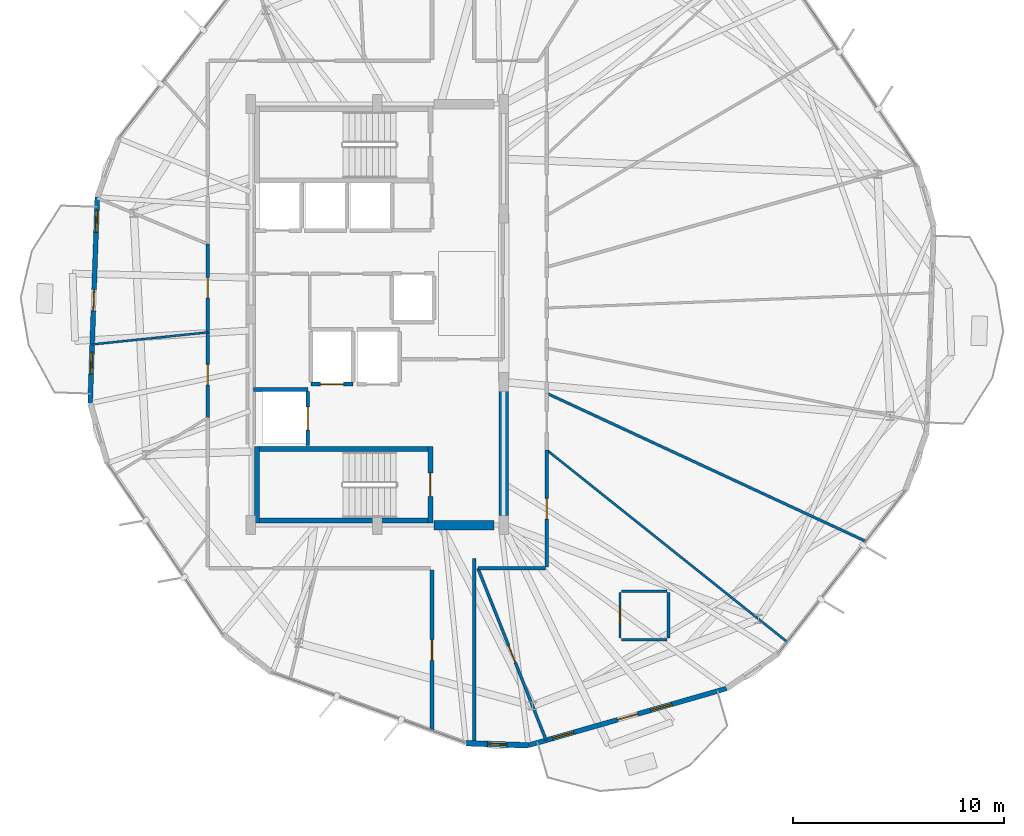
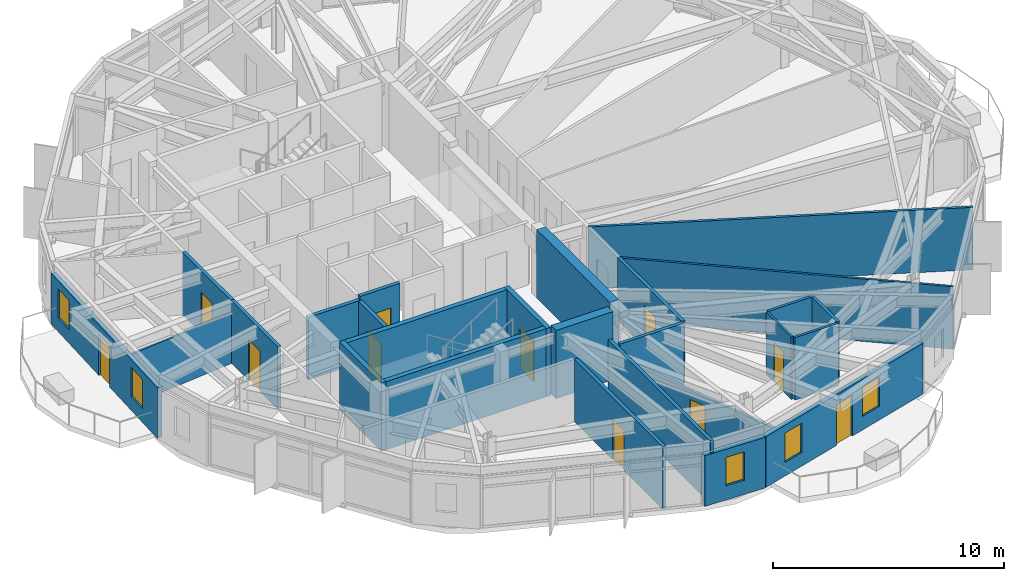
# One storey, part 24 of 30: 26 walls, 11 doors, 5 windows, 16 openings.
"""IFC4 building model written with IfcOpenShell, lengths in metres."""

from ifc_helpers import new_model, si_unit, direction, frame, frame_2d, origin, place, context, subcontext, project, spatial, rectangle, extrude, material, layer, layer_set, type_object, element, fill, save


model = new_model("IFC4")

# Units and contexts
model_context = context("Model", 3, precision=1e-05, world=origin(), true_north=direction((0.0, 1.0)))
body_context = subcontext(model_context, "Body", "Model", "MODEL_VIEW")
ifc_project = project(units=[si_unit("LENGTHUNIT", "METRE"), si_unit("AREAUNIT", "SQUARE_METRE"), si_unit("VOLUMEUNIT", "CUBIC_METRE"), si_unit("PLANEANGLEUNIT", "RADIAN"), si_unit("MASSUNIT", "GRAM", prefix="KILO")], contexts=[model_context])

# Site, building, storey
site_placement = place(None, origin())
site = spatial("IfcSite", under=ifc_project, at=site_placement, CompositionType="ELEMENT")
building_placement = place(site_placement, origin())
building = spatial("IfcBuilding", under=site, at=building_placement, Name="Soratama Intermodal Tower", CompositionType="ELEMENT")
storey_placement = place(building_placement, frame((0.0, 0.0, 223.0)))
storey = spatial("IfcBuildingStorey", under=building, at=storey_placement, Name="L56", CompositionType="ELEMENT", Elevation=223.0)

# Wall, openings, door, windows
ifc_material_1 = material(Name="Concrete f'c 42 MPa", Category="concrete")
ifc_layer_1 = layer(ifc_material_1, 0.22998046875)
ifc_layer_set_1 = layer_set([ifc_layer_1], Name="Concrete f'c 42 MPa")
wall_type_1 = type_object("IfcWallType", Name="EW-BAL-230", PredefinedType="SOLIDWALL", material=ifc_layer_set_1)
wall_1_placement = place(storey_placement, frame((25.303955078125, 30.582763671875, 0.0), z_axis=(0.0, 0.0, 1.0), x_axis=(-0.034536942247, -0.999403421857, 0.0)))
wall_1 = element("IfcWall", 1, at=wall_1_placement, inside=storey, type_object=wall_type_1, Name="L56 Terrace Wall F04", PredefinedType="SOLIDWALL", context=body_context, shape_type="SweptSolid", body=[
    extrude(rectangle(XDim=9.797607421875, YDim=0.22998046875, at=frame_2d((4.89892578125, 0.0))), origin(), (0.0, 0.0, 1.0), 2.678955078125),
])
opening_1_placement = place(wall_1_placement, frame((4.398681640625, 0.0, 0.0)))
opening_1 = element("IfcOpeningElement", 2, at=opening_1_placement, cuts=wall_1, Name="Opening ED-2", PredefinedType="OPENING", context=body_context, shape_type="SweptSolid", body=[
    extrude(rectangle(XDim=1.0, YDim=2.14990234375, at=frame_2d((0.5, 1.074951171875))), frame((0.0, 0.125, 0.0), z_axis=(0.0, -1.0, 0.0), x_axis=(1.0, 0.0, 0.0)), (0.0, 0.0, 1.0), 0.25),
])
opening_2_placement = place(wall_1_placement, frame((0.629150390625, 0.0, 0.719970703125)))
opening_2 = element("IfcOpeningElement", 3, at=opening_2_placement, cuts=wall_1, Name="Opening WN-5", PredefinedType="OPENING", context=body_context, shape_type="SweptSolid", body=[
    extrude(rectangle(XDim=1.050048828125, YDim=1.550048828125, at=frame_2d((0.52490234375, 0.77490234375))), frame((0.0, 0.125, 0.0), z_axis=(0.0, -1.0, 0.0), x_axis=(1.0, 0.0, 0.0)), (0.0, 0.0, 1.0), 0.25),
])
opening_3_placement = place(wall_1_placement, frame((7.3623046875, 0.0, 0.719970703125)))
opening_3 = element("IfcOpeningElement", 4, at=opening_3_placement, cuts=wall_1, Name="Opening WN-5", PredefinedType="OPENING", context=body_context, shape_type="SweptSolid", body=[
    extrude(rectangle(XDim=1.050048828125, YDim=1.550048828125, at=frame_2d((0.52490234375, 0.77490234375))), frame((0.0, 0.125, 0.0), z_axis=(0.0, -1.0, 0.0), x_axis=(1.0, 0.0, 0.0)), (0.0, 0.0, 1.0), 0.25),
])
ifc_material_2 = material(Name="Double-glazed aluminium door", Category="aluminium")
door_type_1 = type_object("IfcDoorType", Name="DR-BAL-1000", OperationType="NOTDEFINED", PredefinedType="DOOR", material=ifc_material_2)
door_1_placement = place(opening_1_placement, origin())
door_1 = element("IfcDoor", 5, at=door_1_placement, inside=storey, type_object=door_type_1, Name="L56 Balcony Door F04", OperationType="SINGLE_SWING_RIGHT", OverallHeight=2.14990234375, OverallWidth=1.0, PredefinedType="DOOR", context=body_context, shape_type="SweptSolid", body=[
    extrude(rectangle(XDim=1.0, YDim=2.14990234375, at=frame_2d((0.5, 1.074951171875))), frame((0.0, 0.02490234375, 0.0), z_axis=(0.0, -1.0, 0.0), x_axis=(1.0, 0.0, 0.0)), (0.0, 0.0, 1.0), 0.050048828125),
])
fill(opening_1, door_1)
ifc_material_3 = material(Name="Double-glazed aluminium window", Category="aluminium")
window_type_1 = type_object("IfcWindowType", Name="WN-FAC-1050", PartitioningType="SINGLE_PANEL", PredefinedType="WINDOW", material=ifc_material_3)
window_1_placement = place(opening_2_placement, origin())
window_1 = element("IfcWindow", 6, at=window_1_placement, inside=storey, type_object=window_type_1, Name="L56 Window A F04", OverallHeight=1.550048828125, OverallWidth=1.050048828125, PartitioningType="SINGLE_PANEL", PredefinedType="WINDOW", context=body_context, shape_type="SweptSolid", body=[
    extrude(rectangle(XDim=1.050048828125, YDim=1.550048828125, at=frame_2d((0.52490234375, 0.77490234375))), frame((0.0, 0.030029296875, 0.0), z_axis=(0.0, -1.0, 0.0), x_axis=(1.0, 0.0, 0.0)), (0.0, 0.0, 1.0), 0.06005859375),
])
fill(opening_2, window_1)
window_2_placement = place(opening_3_placement, origin())
window_2 = element("IfcWindow", 7, at=window_2_placement, inside=storey, type_object=window_type_1, Name="L56 Window B F04", OverallHeight=1.550048828125, OverallWidth=1.050048828125, PartitioningType="SINGLE_PANEL", PredefinedType="WINDOW", context=body_context, shape_type="SweptSolid", body=[
    extrude(rectangle(XDim=1.050048828125, YDim=1.550048828125, at=frame_2d((0.52490234375, 0.77490234375))), frame((0.0, 0.030029296875, 0.0), z_axis=(0.0, -1.0, 0.0), x_axis=(1.0, 0.0, 0.0)), (0.0, 0.0, 1.0), 0.06005859375),
])
fill(opening_3, window_2)

wall_2_placement = place(storey_placement, frame((45.77685546875, 4.54296875, 0.0), z_axis=(0.0, 0.0, 1.0), x_axis=(0.961166762437, 0.275968213361, 0.0)))
wall_2 = element("IfcWall", 8, at=wall_2_placement, inside=storey, type_object=wall_type_1, Name="L56 Terrace Wall F07", PredefinedType="SOLIDWALL", context=body_context, shape_type="SweptSolid", body=[
    extrude(rectangle(XDim=9.797607421875, YDim=0.22998046875, at=frame_2d((4.89892578125, 0.0))), origin(), (0.0, 0.0, 1.0), 2.678955078125),
])
opening_4_placement = place(wall_2_placement, frame((4.398681640625, 0.0, 0.0)))
opening_4 = element("IfcOpeningElement", 9, at=opening_4_placement, cuts=wall_2, Name="Opening ED-2", PredefinedType="OPENING", context=body_context, shape_type="SweptSolid", body=[
    extrude(rectangle(XDim=1.0, YDim=2.14990234375, at=frame_2d((0.5, 1.074951171875))), frame((0.0, 0.125, 0.0), z_axis=(0.0, -1.0, 0.0), x_axis=(1.0, 0.0, 0.0)), (0.0, 0.0, 1.0), 0.25),
])
opening_5_placement = place(wall_2_placement, frame((1.1962890625, 0.0, 0.719970703125)))
opening_5 = element("IfcOpeningElement", 10, at=opening_5_placement, cuts=wall_2, Name="Opening WN-5", PredefinedType="OPENING", context=body_context, shape_type="SweptSolid", body=[
    extrude(rectangle(XDim=1.050048828125, YDim=1.550048828125, at=frame_2d((0.52490234375, 0.77490234375))), frame((0.0, 0.125, 0.0), z_axis=(0.0, -1.0, 0.0), x_axis=(1.0, 0.0, 0.0)), (0.0, 0.0, 1.0), 0.25),
])
opening_6_placement = place(wall_2_placement, frame((6.038818359375, 0.0, 0.719970703125)))
opening_6 = element("IfcOpeningElement", 11, at=opening_6_placement, cuts=wall_2, Name="Opening WN-5", PredefinedType="OPENING", context=body_context, shape_type="SweptSolid", body=[
    extrude(rectangle(XDim=1.050048828125, YDim=1.550048828125, at=frame_2d((0.52490234375, 0.77490234375))), frame((0.0, 0.125, 0.0), z_axis=(0.0, -1.0, 0.0), x_axis=(1.0, 0.0, 0.0)), (0.0, 0.0, 1.0), 0.25),
])
door_2_placement = place(opening_4_placement, origin())
door_2 = element("IfcDoor", 12, at=door_2_placement, inside=storey, type_object=door_type_1, Name="L56 Balcony Door F07", OperationType="SINGLE_SWING_LEFT", OverallHeight=2.14990234375, OverallWidth=1.0, PredefinedType="DOOR", context=body_context, shape_type="SweptSolid", body=[
    extrude(rectangle(XDim=1.0, YDim=2.14990234375, at=frame_2d((0.5, 1.074951171875))), frame((0.0, 0.02490234375, 0.0), z_axis=(0.0, -1.0, 0.0), x_axis=(1.0, 0.0, 0.0)), (0.0, 0.0, 1.0), 0.050048828125),
])
fill(opening_4, door_2)
window_3_placement = place(opening_5_placement, origin())
window_3 = element("IfcWindow", 13, at=window_3_placement, inside=storey, type_object=window_type_1, Name="L56 Window A F07", OverallHeight=1.550048828125, OverallWidth=1.050048828125, PartitioningType="SINGLE_PANEL", PredefinedType="WINDOW", context=body_context, shape_type="SweptSolid", body=[
    extrude(rectangle(XDim=1.050048828125, YDim=1.550048828125, at=frame_2d((0.52490234375, 0.77490234375))), frame((0.0, 0.030029296875, 0.0), z_axis=(0.0, -1.0, 0.0), x_axis=(1.0, 0.0, 0.0)), (0.0, 0.0, 1.0), 0.06005859375),
])
fill(opening_5, window_3)
window_4_placement = place(opening_6_placement, origin())
window_4 = element("IfcWindow", 14, at=window_4_placement, inside=storey, type_object=window_type_1, Name="L56 Window B F07", OverallHeight=1.550048828125, OverallWidth=1.050048828125, PartitioningType="SINGLE_PANEL", PredefinedType="WINDOW", context=body_context, shape_type="SweptSolid", body=[
    extrude(rectangle(XDim=1.050048828125, YDim=1.550048828125, at=frame_2d((0.52490234375, 0.77490234375))), frame((0.0, 0.030029296875, 0.0), z_axis=(0.0, -1.0, 0.0), x_axis=(1.0, 0.0, 0.0)), (0.0, 0.0, 1.0), 0.06005859375),
])
fill(opening_6, window_4)

# Wall, opening, window
ifc_material_4 = material(Name="Concrete f'c 42 MPa", Category="concrete")
ifc_layer_2 = layer(ifc_material_4, 0.27001953125)
ifc_layer_set_2 = layer_set([ifc_layer_2], Name="Concrete f'c 42 MPa")
wall_type_2 = type_object("IfcWallType", Name="EW-CRN-270", PredefinedType="SOLIDWALL", material=ifc_layer_set_2)
wall_3_placement = place(storey_placement, frame((42.81201171875, 4.6455078125, 0.0), z_axis=(0.0, 0.0, 1.0), x_axis=(0.999402475551, -0.034564314866, 0.0)))
wall_3 = element("IfcWall", 15, at=wall_3_placement, inside=storey, type_object=wall_type_2, Name="L56 Corner Closure Wall 06", PredefinedType="SOLIDWALL", context=body_context, shape_type="SweptSolid", body=[
    extrude(rectangle(XDim=2.966552734375, YDim=0.27001953125, at=frame_2d((1.4833984375, 0.0))), origin(), (0.0, 0.0, 1.0), 2.678955078125),
])
opening_7_placement = place(wall_3_placement, frame((1.033203125, 0.0, 0.75)))
opening_7 = element("IfcOpeningElement", 16, at=opening_7_placement, cuts=wall_3, Name="Opening WN-6", PredefinedType="OPENING", context=body_context, shape_type="SweptSolid", body=[
    extrude(rectangle(XDim=0.89990234375, YDim=1.5, at=frame_2d((0.449951171875, 0.75))), frame((0.0, 0.14501953125, 0.0), z_axis=(0.0, -1.0, 0.0), x_axis=(1.0, 0.0, 0.0)), (0.0, 0.0, 1.0), 0.2900390625),
])
ifc_material_5 = material(Name="Double-glazed aluminium window", Category="aluminium")
window_type_2 = type_object("IfcWindowType", Name="WN-FAC-900", PartitioningType="SINGLE_PANEL", PredefinedType="WINDOW", material=ifc_material_5)
window_5_placement = place(opening_7_placement, origin())
window_5 = element("IfcWindow", 17, at=window_5_placement, inside=storey, type_object=window_type_2, Name="L56 Corner Window 06", OverallHeight=1.5, OverallWidth=0.89990234375, PartitioningType="SINGLE_PANEL", PredefinedType="WINDOW", context=body_context, shape_type="SweptSolid", body=[
    extrude(rectangle(XDim=0.89990234375, YDim=1.5, at=frame_2d((0.449951171875, 0.75))), frame((0.0, 0.030029296875, 0.0), z_axis=(0.0, -1.0, 0.0), x_axis=(1.0, 0.0, 0.0)), (0.0, 0.0, 1.0), 0.06005859375),
])
fill(opening_7, window_5)

# Wall, opening, door
ifc_material_6 = material(Name="Fire-rated gypsum stud partition", Category="concrete")
ifc_layer_3 = layer(ifc_material_6, 0.169921875)
ifc_layer_set_3 = layer_set([ifc_layer_3], Name="Fire-rated gypsum stud partition")
wall_type_3 = type_object("IfcWallType", Name="IW-PART-R170", PredefinedType="PARTITIONING", material=ifc_layer_set_3)
wall_4_placement = place(storey_placement, frame((41.199951171875, 5.23193359375, 0.0), z_axis=(0.0, 0.0, 1.0), x_axis=(0.0, 1.0, 0.0)))
wall_4 = element("IfcWall", 18, at=wall_4_placement, inside=storey, type_object=wall_type_3, Name="L56 Partition W-L56-TP010", PredefinedType="PARTITIONING", context=body_context, shape_type="SweptSolid", body=[
    extrude(rectangle(XDim=7.64794921875, YDim=0.169921875, at=frame_2d((3.823974609375, 0.0))), origin(), (0.0, 0.0, 1.0), 3.300048828125),
])
opening_8_placement = place(wall_4_placement, frame((3.34912109375, 0.0, 0.0)))
opening_8 = element("IfcOpeningElement", 19, at=opening_8_placement, cuts=wall_4, Name="Opening ID-5", PredefinedType="OPENING", context=body_context, shape_type="SweptSolid", body=[
    extrude(rectangle(XDim=0.97998046875, YDim=2.14990234375, at=frame_2d((0.489990234375, 1.074951171875))), frame((0.0, 0.094970703125, 0.0), z_axis=(0.0, -1.0, 0.0), x_axis=(1.0, 0.0, 0.0)), (0.0, 0.0, 1.0), 0.18994140625),
])
ifc_material_7 = material(Name="Solid hardwood acoustic door", Category="wood")
door_type_2 = type_object("IfcDoorType", Name="DR-OFF-980", OperationType="NOTDEFINED", PredefinedType="DOOR", material=ifc_material_7)
door_3_placement = place(opening_8_placement, origin())
door_3 = element("IfcDoor", 20, at=door_3_placement, inside=storey, type_object=door_type_2, Name="L56 Door D-L56-TP001", OperationType="SINGLE_SWING_RIGHT", OverallHeight=2.14990234375, OverallWidth=0.97998046875, PredefinedType="DOOR", context=body_context, shape_type="SweptSolid", body=[
    extrude(rectangle(XDim=0.97998046875, YDim=2.14990234375, at=frame_2d((0.489990234375, 1.074951171875))), frame((0.0, 0.02490234375, 0.0), z_axis=(0.0, -1.0, 0.0), x_axis=(1.0, 0.0, 0.0)), (0.0, 0.0, 1.0), 0.050048828125),
])
fill(opening_8, door_3)

wall_5_placement = place(storey_placement, frame((46.64990234375, 18.572998046875, 0.0), z_axis=(0.0, 0.0, 1.0), x_axis=(0.0, -1.0, 0.0)))
wall_5 = element("IfcWall", 21, at=wall_5_placement, inside=storey, type_object=wall_type_3, Name="L56 Partition W-L56-TP016", PredefinedType="PARTITIONING", context=body_context, shape_type="SweptSolid", body=[
    extrude(rectangle(XDim=5.552978515625, YDim=0.169921875, at=frame_2d((2.7763671875, 0.0))), origin(), (0.0, 0.0, 1.0), 3.300048828125),
])
opening_9_placement = place(wall_5_placement, frame((2.302001953125, 0.0, 0.0)))
opening_9 = element("IfcOpeningElement", 22, at=opening_9_placement, cuts=wall_5, Name="Opening ID-5", PredefinedType="OPENING", context=body_context, shape_type="SweptSolid", body=[
    extrude(rectangle(XDim=0.97998046875, YDim=2.14990234375, at=frame_2d((0.489990234375, 1.074951171875))), frame((0.0, 0.094970703125, 0.0), z_axis=(0.0, -1.0, 0.0), x_axis=(1.0, 0.0, 0.0)), (0.0, 0.0, 1.0), 0.18994140625),
])
door_4_placement = place(opening_9_placement, origin())
door_4 = element("IfcDoor", 23, at=door_4_placement, inside=storey, type_object=door_type_2, Name="L56 Door D-L56-TP005", OperationType="SINGLE_SWING_RIGHT", OverallHeight=2.14990234375, OverallWidth=0.97998046875, PredefinedType="DOOR", context=body_context, shape_type="SweptSolid", body=[
    extrude(rectangle(XDim=0.97998046875, YDim=2.14990234375, at=frame_2d((0.489990234375, 1.074951171875))), frame((0.0, 0.02490234375, 0.0), z_axis=(0.0, -1.0, 0.0), x_axis=(1.0, 0.0, 0.0)), (0.0, 0.0, 1.0), 0.050048828125),
])
fill(opening_9, door_4)

wall_6_placement = place(storey_placement, frame((30.550048828125, 24.158935546875, 0.0), z_axis=(0.0, 0.0, 1.0), x_axis=(0.0, 1.0, 0.0)))
wall_6 = element("IfcWall", 24, at=wall_6_placement, inside=storey, type_object=wall_type_3, Name="L56 Partition W-L56-TP025", PredefinedType="PARTITIONING", context=body_context, shape_type="SweptSolid", body=[
    extrude(rectangle(XDim=4.192138671875, YDim=0.169921875, at=frame_2d((2.09619140625, 0.0))), origin(), (0.0, 0.0, 1.0), 3.300048828125),
])
opening_10_placement = place(wall_6_placement, frame((1.62109375, 0.0, 0.0)))
opening_10 = element("IfcOpeningElement", 25, at=opening_10_placement, cuts=wall_6, Name="Opening ID-5", PredefinedType="OPENING", context=body_context, shape_type="SweptSolid", body=[
    extrude(rectangle(XDim=0.97998046875, YDim=2.14990234375, at=frame_2d((0.489990234375, 1.074951171875))), frame((0.0, 0.094970703125, 0.0), z_axis=(0.0, -1.0, 0.0), x_axis=(1.0, 0.0, 0.0)), (0.0, 0.0, 1.0), 0.18994140625),
])
door_5_placement = place(opening_10_placement, origin())
door_5 = element("IfcDoor", 26, at=door_5_placement, inside=storey, type_object=door_type_2, Name="L56 Door D-L56-TP009", OperationType="SINGLE_SWING_RIGHT", OverallHeight=2.14990234375, OverallWidth=0.97998046875, PredefinedType="DOOR", context=body_context, shape_type="SweptSolid", body=[
    extrude(rectangle(XDim=0.97998046875, YDim=2.14990234375, at=frame_2d((0.489990234375, 1.074951171875))), frame((0.0, 0.02490234375, 0.0), z_axis=(0.0, -1.0, 0.0), x_axis=(1.0, 0.0, 0.0)), (0.0, 0.0, 1.0), 0.050048828125),
])
fill(opening_10, door_5)

wall_7_placement = place(storey_placement, frame((30.550048828125, 20.10595703125, 0.0), z_axis=(0.0, 0.0, 1.0), x_axis=(0.0, 1.0, 0.0)))
wall_7 = element("IfcWall", 27, at=wall_7_placement, inside=storey, type_object=wall_type_3, Name="L56 Partition W-L56-TP026", PredefinedType="PARTITIONING", context=body_context, shape_type="SweptSolid", body=[
    extrude(rectangle(XDim=4.052978515625, YDim=0.169921875, at=frame_2d((2.0263671875, 0.0))), origin(), (0.0, 0.0, 1.0), 3.300048828125),
])
opening_11_placement = place(wall_7_placement, frame((1.551025390625, 0.0, 0.0)))
opening_11 = element("IfcOpeningElement", 28, at=opening_11_placement, cuts=wall_7, Name="Opening ID-5", PredefinedType="OPENING", context=body_context, shape_type="SweptSolid", body=[
    extrude(rectangle(XDim=0.97998046875, YDim=2.14990234375, at=frame_2d((0.489990234375, 1.074951171875))), frame((0.0, 0.094970703125, 0.0), z_axis=(0.0, -1.0, 0.0), x_axis=(1.0, 0.0, 0.0)), (0.0, 0.0, 1.0), 0.18994140625),
])
door_6_placement = place(opening_11_placement, origin())
door_6 = element("IfcDoor", 29, at=door_6_placement, inside=storey, type_object=door_type_2, Name="L56 Door D-L56-TP010", OperationType="SINGLE_SWING_LEFT", OverallHeight=2.14990234375, OverallWidth=0.97998046875, PredefinedType="DOOR", context=body_context, shape_type="SweptSolid", body=[
    extrude(rectangle(XDim=0.97998046875, YDim=2.14990234375, at=frame_2d((0.489990234375, 1.074951171875))), frame((0.0, 0.02490234375, 0.0), z_axis=(0.0, -1.0, 0.0), x_axis=(1.0, 0.0, 0.0)), (0.0, 0.0, 1.0), 0.050048828125),
])
fill(opening_11, door_6)

# Walls
wall_8_placement = place(storey_placement, frame((46.580078125, 12.949951171875, 0.0), z_axis=(0.0, 0.0, 1.0), x_axis=(-1.0, 0.0, 0.0)))
element("IfcWall", 30, at=wall_8_placement, inside=storey, type_object=wall_type_3, Name="L56 Partition W-L56-TP031", PredefinedType="PARTITIONING", context=body_context, shape_type="SweptSolid", body=[
    extrude(rectangle(XDim=3.197021484375, YDim=0.169921875, at=frame_2d((1.5986328125, 0.0))), origin(), (0.0, 0.0, 1.0), 3.300048828125),
])
wall_9_placement = place(storey_placement, frame((43.199951171875, 13.410888671875, 0.0), z_axis=(0.0, 0.0, 1.0), x_axis=(0.0, -1.0, 0.0)))
element("IfcWall", 31, at=wall_9_placement, inside=storey, type_object=wall_type_3, Name="L56 Partition W-L56-TP053", PredefinedType="PARTITIONING", context=body_context, shape_type="SweptSolid", body=[
    extrude(rectangle(XDim=8.8408203125, YDim=0.169921875, at=frame_2d((4.42041015625, 0.0))), origin(), (0.0, 0.0, 1.0), 3.300048828125),
])
ifc_material_8 = material(Name="Fire-rated gypsum stud partition", Category="concrete")
ifc_layer_4 = layer(ifc_material_8, 0.10009765625)
ifc_layer_set_4 = layer_set([ifc_layer_4], Name="Fire-rated gypsum stud partition")
wall_type_4 = type_object("IfcWallType", Name="IW-PART-S100", PredefinedType="PARTITIONING", material=ifc_layer_set_4)
wall_10_placement = place(storey_placement, frame((30.550048828125, 24.158935546875, 0.0), z_axis=(0.0, 0.0, 1.0), x_axis=(-0.994593588522, -0.103844083467, 0.0)))
element("IfcWall", 32, at=wall_10_placement, inside=storey, type_object=wall_type_4, Name="L56 Partition W-L56-TP017", PredefinedType="PARTITIONING", context=body_context, shape_type="SweptSolid", body=[
    extrude(rectangle(XDim=5.517822265625, YDim=0.10009765625, at=frame_2d((2.7587890625, 0.0))), origin(), (0.0, 0.0, 1.0), 2.674072265625),
])

# Wall, opening, door
wall_11_placement = place(storey_placement, frame((50.1298828125, 11.7939453125, 0.0), z_axis=(0.0, 0.0, 1.0), x_axis=(0.0, -1.0, 0.0)))
wall_11 = element("IfcWall", 33, at=wall_11_placement, inside=storey, type_object=wall_type_4, Name="L56 Partition W-L56-TP042", PredefinedType="PARTITIONING", context=body_context, shape_type="SweptSolid", body=[
    extrude(rectangle(XDim=2.159912109375, YDim=0.10009765625, at=frame_2d((1.080078125, 0.0))), origin(), (0.0, 0.0, 1.0), 3.300048828125),
])
opening_12_placement = place(wall_11_placement, frame((0.655029296875, 0.0, 0.0)))
opening_12 = element("IfcOpeningElement", 34, at=opening_12_placement, cuts=wall_11, Name="Opening ID-4", PredefinedType="OPENING", context=body_context, shape_type="SweptSolid", body=[
    extrude(rectangle(XDim=0.85009765625, YDim=2.10009765625, at=frame_2d((0.425048828125, 1.050048828125))), frame((0.0, 0.06005859375, 0.0), z_axis=(0.0, -1.0, 0.0), x_axis=(1.0, 0.0, 0.0)), (0.0, 0.0, 1.0), 0.1201171875),
])
ifc_material_9 = material(Name="Solid hardwood acoustic door", Category="wood")
door_type_3 = type_object("IfcDoorType", Name="DR-BATH-850", OperationType="NOTDEFINED", PredefinedType="DOOR", material=ifc_material_9)
door_7_placement = place(opening_12_placement, origin())
door_7 = element("IfcDoor", 35, at=door_7_placement, inside=storey, type_object=door_type_3, Name="L56 Door D-L56-TP021", OperationType="SINGLE_SWING_RIGHT", OverallHeight=2.10009765625, OverallWidth=0.85009765625, PredefinedType="DOOR", context=body_context, shape_type="SweptSolid", body=[
    extrude(rectangle(XDim=0.85009765625, YDim=2.10009765625, at=frame_2d((0.425048828125, 1.050048828125))), frame((0.0, 0.02490234375, 0.0), z_axis=(0.0, -1.0, 0.0), x_axis=(1.0, 0.0, 0.0)), (0.0, 0.0, 1.0), 0.050048828125),
])
fill(opening_12, door_7)

# Walls
ifc_material_10 = material(Name="Fire-rated gypsum stud partition", Category="concrete")
ifc_layer_5 = layer(ifc_material_10, 0.110107421875)
ifc_layer_set_5 = layer_set([ifc_layer_5], Name="Fire-rated gypsum stud partition")
wall_type_5 = type_object("IfcWallType", Name="IW-PART-S110", PredefinedType="PARTITIONING", material=ifc_layer_set_5)
wall_12_placement = place(storey_placement, frame((46.64990234375, 18.572998046875, 0.0), z_axis=(0.0, 0.0, 1.0), x_axis=(0.781487424424, -0.623920992968, 0.0)))
element("IfcWall", 36, at=wall_12_placement, inside=storey, type_object=wall_type_5, Name="L56 Partition W-L56-TP006", PredefinedType="PARTITIONING", context=body_context, shape_type="SweptSolid", body=[
    extrude(rectangle(XDim=14.6220703125, YDim=0.110107421875, at=frame_2d((7.31103515625, 0.0))), origin(), (0.0, 0.0, 1.0), 3.300048828125),
])
ifc_material_11 = material(Name="Fire-rated gypsum stud partition", Category="concrete")
ifc_layer_6 = layer(ifc_material_11, 0.1201171875)
ifc_layer_set_6 = layer_set([ifc_layer_6], Name="Fire-rated gypsum stud partition")
wall_type_6 = type_object("IfcWallType", Name="IW-PART-S120", PredefinedType="PARTITIONING", material=ifc_layer_set_6)
wall_13_placement = place(storey_placement, frame((50.199951171875, 9.56396484375, 0.0), z_axis=(0.0, 0.0, 1.0), x_axis=(1.0, 0.0, 0.0)))
element("IfcWall", 37, at=wall_13_placement, inside=storey, type_object=wall_type_6, Name="L56 Partition W-L56-TP045", PredefinedType="PARTITIONING", context=body_context, shape_type="SweptSolid", body=[
    extrude(rectangle(XDim=2.16015625, YDim=0.1201171875, at=frame_2d((1.080078125, 0.0))), origin(), (0.0, 0.0, 1.0), 3.300048828125),
])
ifc_material_12 = material(Name="Fire-rated gypsum stud partition", Category="concrete")
ifc_layer_7 = layer(ifc_material_12, 0.1298828125)
ifc_layer_set_7 = layer_set([ifc_layer_7], Name="Fire-rated gypsum stud partition")
wall_type_7 = type_object("IfcWallType", Name="IW-PART-S130", PredefinedType="PARTITIONING", material=ifc_layer_set_7)
wall_14_placement = place(storey_placement, frame((46.64990234375, 21.264892578125, 0.0), z_axis=(0.0, 0.0, 1.0), x_axis=(0.907138854203, -0.420831437984, 0.0)))
element("IfcWall", 38, at=wall_14_placement, inside=storey, type_object=wall_type_7, Name="L56 Partition W-L56-TP004", PredefinedType="PARTITIONING", context=body_context, shape_type="SweptSolid", body=[
    extrude(rectangle(XDim=16.712158203125, YDim=0.1298828125, at=frame_2d((8.35595703125, 0.0))), origin(), (0.0, 0.0, 1.0), 3.300048828125),
])
wall_15_placement = place(storey_placement, frame((52.360107421875, 11.864013671875, 0.0), z_axis=(0.0, 0.0, 1.0), x_axis=(-1.0, 0.0, 0.0)))
element("IfcWall", 39, at=wall_15_placement, inside=storey, type_object=wall_type_7, Name="L56 Partition W-L56-TP044", PredefinedType="PARTITIONING", context=body_context, shape_type="SweptSolid", body=[
    extrude(rectangle(XDim=2.16015625, YDim=0.1298828125, at=frame_2d((1.080078125, 0.0))), origin(), (0.0, 0.0, 1.0), 3.300048828125),
])

# Wall, opening, door
ifc_material_13 = material(Name="Fire-rated gypsum stud partition", Category="concrete")
ifc_layer_8 = layer(ifc_material_13, 0.139892578125)
ifc_layer_set_8 = layer_set([ifc_layer_8], Name="Fire-rated gypsum stud partition")
wall_type_8 = type_object("IfcWallType", Name="IW-PART-S140", PredefinedType="PARTITIONING", material=ifc_layer_set_8)
wall_16_placement = place(storey_placement, frame((43.383056640625, 12.949951171875, 0.0), z_axis=(0.0, 0.0, 1.0), x_axis=(0.368969393474, -0.929441545596, 0.0)))
wall_16 = element("IfcWall", 40, at=wall_16_placement, inside=storey, type_object=wall_type_8, Name="L56 Partition W-L56-TP008", PredefinedType="PARTITIONING", context=body_context, shape_type="SweptSolid", body=[
    extrude(rectangle(XDim=8.783935546875, YDim=0.139892578125, at=frame_2d((4.39208984375, 0.0))), origin(), (0.0, 0.0, 1.0), 2.594970703125),
])
opening_13_placement = place(wall_16_placement, frame((3.967041015625, 0.0, 0.0)))
opening_13 = element("IfcOpeningElement", 41, at=opening_13_placement, cuts=wall_16, Name="Opening ID-4", PredefinedType="OPENING", context=body_context, shape_type="SweptSolid", body=[
    extrude(rectangle(XDim=0.85009765625, YDim=2.10009765625, at=frame_2d((0.425048828125, 1.050048828125))), frame((0.0, 0.079833984375, 0.0), z_axis=(0.0, -1.0, 0.0), x_axis=(1.0, 0.0, 0.0)), (0.0, 0.0, 1.0), 0.159912109375),
])
door_8_placement = place(opening_13_placement, origin())
door_8 = element("IfcDoor", 42, at=door_8_placement, inside=storey, type_object=door_type_3, Name="L56 Door D-L56-TP025", OperationType="SINGLE_SWING_LEFT", OverallHeight=2.10009765625, OverallWidth=0.85009765625, PredefinedType="DOOR", context=body_context, shape_type="SweptSolid", body=[
    extrude(rectangle(XDim=0.85009765625, YDim=2.10009765625, at=frame_2d((0.425048828125, 1.050048828125))), frame((0.0, 0.02490234375, 0.0), z_axis=(0.0, -1.0, 0.0), x_axis=(1.0, 0.0, 0.0)), (0.0, 0.0, 1.0), 0.050048828125),
])
fill(opening_13, door_8)

# Wall
wall_17_placement = place(storey_placement, frame((52.429931640625, 9.634033203125, 0.0), z_axis=(0.0, 0.0, 1.0), x_axis=(0.0, 1.0, 0.0)))
element("IfcWall", 43, at=wall_17_placement, inside=storey, type_object=wall_type_8, Name="L56 Partition W-L56-TP043", PredefinedType="PARTITIONING", context=body_context, shape_type="SweptSolid", body=[
    extrude(rectangle(XDim=2.159912109375, YDim=0.139892578125, at=frame_2d((1.080078125, 0.0))), origin(), (0.0, 0.0, 1.0), 3.300048828125),
])

# Wall, opening, door
ifc_material_14 = material(Name="Concrete f'c 42 MPa", Category="concrete")
ifc_layer_9 = layer(ifc_material_14, 0.18505859375)
ifc_layer_set_9 = layer_set([ifc_layer_9], Name="Concrete f'c 42 MPa")
wall_type_9 = type_object("IfcWallType", Name="IW-SHAFT-185", PredefinedType="SOLIDWALL", material=ifc_layer_set_9)
wall_18_placement = place(storey_placement, frame((35.449951171875, 21.699951171875, 0.0), z_axis=(0.0, 0.0, 1.0), x_axis=(1.0, 0.0, 0.0)))
wall_18 = element("IfcWall", 44, at=wall_18_placement, inside=storey, type_object=wall_type_9, Name="L56 FFL-1 Hoistway Wall S", PredefinedType="SOLIDWALL", context=body_context, shape_type="SweptSolid", body=[
    extrude(rectangle(XDim=2.0, YDim=0.18505859375, at=frame_2d((1.0, 0.0))), origin(), (0.0, 0.0, 1.0), 3.300048828125),
])
opening_14_placement = place(wall_18_placement, frame((0.449951171875, 0.0, 0.0)))
opening_14 = element("IfcOpeningElement", 45, at=opening_14_placement, cuts=wall_18, Name="Opening LD-1", PredefinedType="OPENING", context=body_context, shape_type="SweptSolid", body=[
    extrude(rectangle(XDim=1.10009765625, YDim=2.14990234375, at=frame_2d((0.550048828125, 1.074951171875))), frame((0.0, 0.1025390625, 0.0), z_axis=(0.0, -1.0, 0.0), x_axis=(1.0, 0.0, 0.0)), (0.0, 0.0, 1.0), 0.205078125),
])
ifc_material_15 = material(Name="Steel fire door", Category="steel")
door_type_4 = type_object("IfcDoorType", Name="DR-LIFT-SLIDE", OperationType="NOTDEFINED", PredefinedType="DOOR", material=ifc_material_15)
door_9_placement = place(opening_14_placement, origin())
door_9 = element("IfcDoor", 46, at=door_9_placement, inside=storey, type_object=door_type_4, Name="L56 FFL-1 Sliding Landing Door", OperationType="SLIDING_TO_LEFT", OverallHeight=2.14990234375, OverallWidth=1.10009765625, PredefinedType="DOOR", context=body_context, shape_type="SweptSolid", body=[
    extrude(rectangle(XDim=1.10009765625, YDim=2.14990234375, at=frame_2d((0.550048828125, 1.074951171875))), frame((0.0, 0.02490234375, 0.0), z_axis=(0.0, -1.0, 0.0), x_axis=(1.0, 0.0, 0.0)), (0.0, 0.0, 1.0), 0.050048828125),
])
fill(opening_14, door_9)

# Wall
wall_19_placement = place(storey_placement, frame((32.719970703125, 21.449951171875, 0.0), z_axis=(0.0, 0.0, 1.0), x_axis=(1.0, 0.0, 0.0)))
element("IfcWall", 47, at=wall_19_placement, inside=storey, type_object=wall_type_9, Name="L56 SVL-1 Hoistway Wall N", PredefinedType="SOLIDWALL", context=body_context, shape_type="SweptSolid", body=[
    extrude(rectangle(XDim=2.580078125, YDim=0.18505859375, at=frame_2d((1.2900390625, 0.0))), origin(), (0.0, 0.0, 1.0), 3.300048828125),
])

# Wall, opening, door
wall_20_placement = place(storey_placement, frame((35.300048828125, 18.7900390625, 0.0), z_axis=(0.0, 0.0, 1.0), x_axis=(0.0, 1.0, 0.0)))
wall_20 = element("IfcWall", 48, at=wall_20_placement, inside=storey, type_object=wall_type_9, Name="L56 SVL-1 Hoistway Wall E", PredefinedType="SOLIDWALL", context=body_context, shape_type="SweptSolid", body=[
    extrude(rectangle(XDim=2.550048828125, YDim=0.18505859375, at=frame_2d((1.27490234375, 0.0))), origin(), (0.0, 0.0, 1.0), 3.300048828125),
])
opening_15_placement = place(wall_20_placement, frame((0.72509765625, 0.0, 0.0)))
opening_15 = element("IfcOpeningElement", 49, at=opening_15_placement, cuts=wall_20, Name="Opening LD-1", PredefinedType="OPENING", context=body_context, shape_type="SweptSolid", body=[
    extrude(rectangle(XDim=1.10009765625, YDim=2.14990234375, at=frame_2d((0.550048828125, 1.074951171875))), frame((0.0, 0.1025390625, 0.0), z_axis=(0.0, -1.0, 0.0), x_axis=(1.0, 0.0, 0.0)), (0.0, 0.0, 1.0), 0.205078125),
])
door_10_placement = place(opening_15_placement, origin())
door_10 = element("IfcDoor", 50, at=door_10_placement, inside=storey, type_object=door_type_4, Name="L56 SVL-1 Sliding Landing Door", OperationType="SLIDING_TO_LEFT", OverallHeight=2.14990234375, OverallWidth=1.10009765625, PredefinedType="DOOR", context=body_context, shape_type="SweptSolid", body=[
    extrude(rectangle(XDim=1.10009765625, YDim=2.14990234375, at=frame_2d((0.550048828125, 1.074951171875))), frame((0.0, 0.02490234375, 0.0), z_axis=(0.0, -1.0, 0.0), x_axis=(1.0, 0.0, 0.0)), (0.0, 0.0, 1.0), 0.050048828125),
])
fill(opening_15, door_10)

# Walls
ifc_material_16 = material(Name="Concrete f'c 56 MPa", Category="concrete")
ifc_layer_10 = layer(ifc_material_16, 0.449951171875)
ifc_layer_set_10 = layer_set([ifc_layer_10], Name="Concrete f'c 56 MPa")
wall_type_10 = type_object("IfcWallType", Name="SW-CORE-450", PredefinedType="SHEAR", material=ifc_layer_set_10)
wall_21_placement = place(storey_placement, frame((41.300048828125, 15.0, 0.0), z_axis=(0.0, 0.0, 1.0), x_axis=(1.0, 0.0, 0.0)))
element("IfcWall", 51, at=wall_21_placement, inside=storey, type_object=wall_type_10, Name="L56 Core Shear Wall CW-SE", PredefinedType="SHEAR", context=body_context, shape_type="SweptSolid", body=[
    extrude(rectangle(XDim=2.849853515625, YDim=0.449951171875, at=frame_2d((1.4248046875, 0.0))), origin(), (0.0, 0.0, 1.0), 3.60009765625),
])
wall_22_placement = place(storey_placement, frame((44.60009765625, 15.449951171875, 0.0), z_axis=(0.0, 0.0, 1.0), x_axis=(0.0, 1.0, 0.0)))
element("IfcWall", 52, at=wall_22_placement, inside=storey, type_object=wall_type_10, Name="L56 Core Shear Wall CW-ES", PredefinedType="SHEAR", context=body_context, shape_type="SweptSolid", body=[
    extrude(rectangle(XDim=6.35009765625, YDim=0.449951171875, at=frame_2d((3.175048828125, 0.0))), origin(), (0.0, 0.0, 1.0), 3.60009765625),
])
ifc_material_17 = material(Name="Concrete f'c 56 MPa", Category="concrete")
ifc_layer_11 = layer(ifc_material_17, 0.239990234375)
ifc_layer_set_11 = layer_set([ifc_layer_11], Name="Concrete f'c 56 MPa")
wall_type_11 = type_object("IfcWallType", Name="SW-STAIR-240", PredefinedType="SHEAR", material=ifc_layer_set_11)
wall_23_placement = place(storey_placement, frame((32.8798828125, 15.110107421875, 0.0), z_axis=(0.0, 0.0, 1.0), x_axis=(0.0, 1.0, 0.0)))
element("IfcWall", 53, at=wall_23_placement, inside=storey, type_object=wall_type_11, Name="L56 ST-1 Shaft Shear Wall W", PredefinedType="SHEAR", context=body_context, shape_type="SweptSolid", body=[
    extrude(rectangle(XDim=3.6298828125, YDim=0.239990234375, at=frame_2d((1.81494140625, 0.0))), origin(), (0.0, 0.0, 1.0), 3.60009765625),
])

# Wall, opening, door
wall_24_placement = place(storey_placement, frame((41.1201171875, 15.110107421875, 0.0), z_axis=(0.0, 0.0, 1.0), x_axis=(0.0, 1.0, 0.0)))
wall_24 = element("IfcWall", 54, at=wall_24_placement, inside=storey, type_object=wall_type_11, Name="L56 ST-1 Shaft Shear Wall E", PredefinedType="SHEAR", context=body_context, shape_type="SweptSolid", body=[
    extrude(rectangle(XDim=3.6298828125, YDim=0.239990234375, at=frame_2d((1.81494140625, 0.0))), origin(), (0.0, 0.0, 1.0), 3.60009765625),
])
opening_16_placement = place(wall_24_placement, frame((1.2548828125, 0.0, 0.0)))
opening_16 = element("IfcOpeningElement", 55, at=opening_16_placement, cuts=wall_24, Name="Opening SD-1", PredefinedType="OPENING", context=body_context, shape_type="SweptSolid", body=[
    extrude(rectangle(XDim=1.1201171875, YDim=2.14990234375, at=frame_2d((0.56005859375, 1.074951171875))), frame((0.0, 0.1298828125, 0.0), z_axis=(0.0, -1.0, 0.0), x_axis=(1.0, 0.0, 0.0)), (0.0, 0.0, 1.0), 0.260009765625),
])
ifc_material_18 = material(Name="Steel fire door", Category="steel")
door_type_5 = type_object("IfcDoorType", Name="DR-STAIR-FD90", OperationType="NOTDEFINED", PredefinedType="DOOR", material=ifc_material_18)
door_11_placement = place(opening_16_placement, origin())
door_11 = element("IfcDoor", 56, at=door_11_placement, inside=storey, type_object=door_type_5, Name="L56 ST-1 Exit Stair Door", OperationType="SINGLE_SWING_LEFT", OverallHeight=2.14990234375, OverallWidth=1.1201171875, PredefinedType="DOOR", context=body_context, shape_type="SweptSolid", body=[
    extrude(rectangle(XDim=1.1201171875, YDim=2.14990234375, at=frame_2d((0.56005859375, 1.074951171875))), frame((0.0, 0.02490234375, 0.0), z_axis=(0.0, -1.0, 0.0), x_axis=(1.0, 0.0, 0.0)), (0.0, 0.0, 1.0), 0.050048828125),
])
fill(opening_16, door_11)

# Walls
for number, where, z_axis, x_axis, name in (
    (57, (33.0, 15.22998046875, 0.0), (0.0, 0.0, 1.0), (1.0, 0.0, 0.0), "L56 ST-1 Shaft Shear Wall S"),
    (58, (33.0, 18.6201171875, 0.0), (0.0, 0.0, 1.0), (1.0, 0.0, 0.0), "L56 ST-1 Shaft Shear Wall N"),
):
    element("IfcWall", number, at=place(storey_placement, frame(where, z_axis=z_axis, x_axis=x_axis)), inside=storey, type_object=wall_type_11, Name=name, PredefinedType="SHEAR", context=body_context, shape_type="SweptSolid", body=[
        extrude(rectangle(XDim=8.0, YDim=0.239990234375, at=frame_2d((4.0, 0.0))), origin(), (0.0, 0.0, 1.0), 3.60009765625),
    ])

save(model, "model.ifc")
